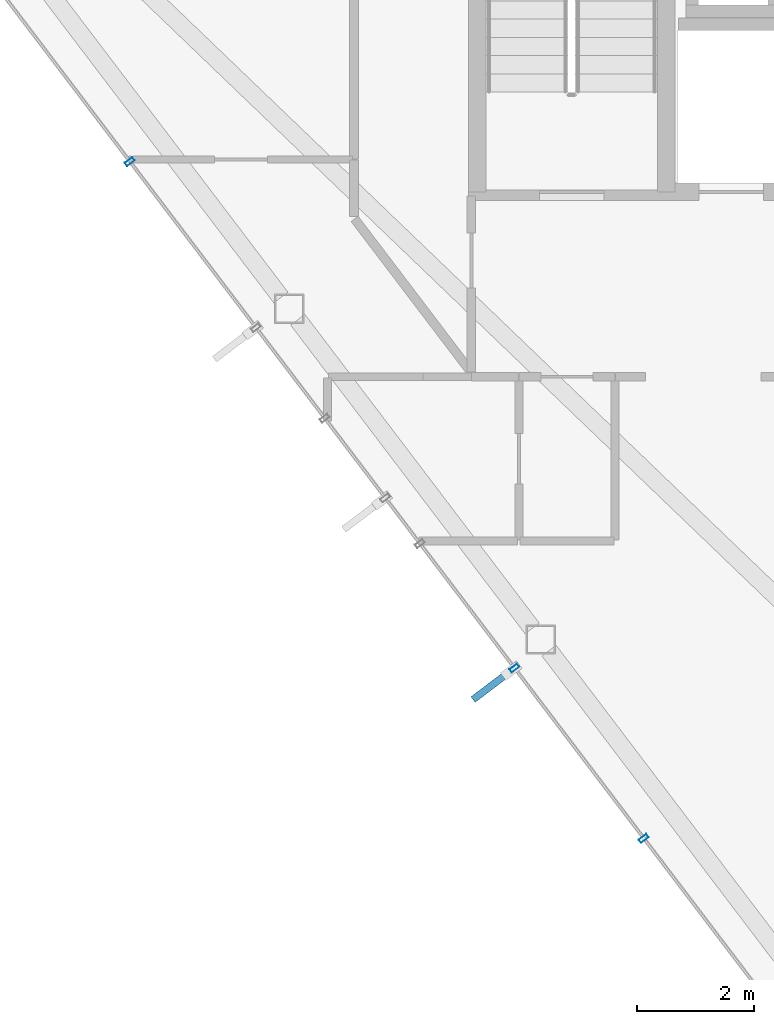
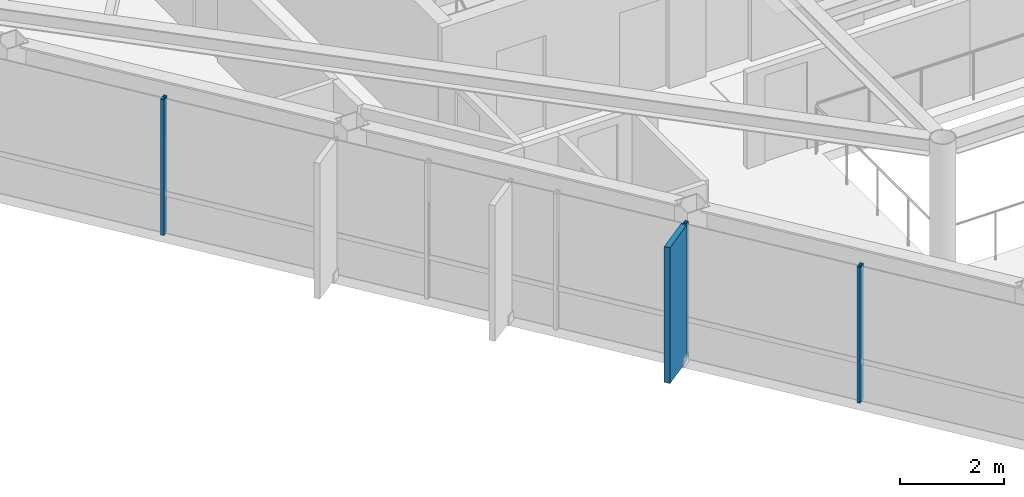
# One storey, part 2 of 24: 4 members, 1 element without a shape of its own.
"""IFC4 building model written with IfcOpenShell, lengths in metres."""

from ifc_helpers import new_model, si_unit, direction, frame, origin, origin_2d, place, context, subcontext, project, spatial, rectangle, hollow_rectangle, extrude, material, layer, layer_set, material_profile, profile_set, type_object, element, aggregate, save


model = new_model("IFC4")

# Units and contexts
model_context = context("Model", 3, precision=1e-05, world=origin(), true_north=direction((0.0, 1.0)))
body_context = subcontext(model_context, "Body", "Model", "MODEL_VIEW")
ifc_project = project(units=[si_unit("LENGTHUNIT", "METRE"), si_unit("AREAUNIT", "SQUARE_METRE"), si_unit("VOLUMEUNIT", "CUBIC_METRE"), si_unit("PLANEANGLEUNIT", "RADIAN"), si_unit("MASSUNIT", "GRAM", prefix="KILO")], contexts=[model_context])

# Site, building, storey
site_placement = place(None, origin())
site = spatial("IfcSite", under=ifc_project, at=site_placement, CompositionType="ELEMENT")
building_placement = place(site_placement, origin())
building = spatial("IfcBuilding", under=site, at=building_placement, Name="Zarrinselat Tower", CompositionType="ELEMENT")
storey_placement = place(building_placement, frame((0.0, 0.0, 268.60009765625)))
storey = spatial("IfcBuildingStorey", under=building, at=storey_placement, Name="L68", CompositionType="ELEMENT", Elevation=268.60009765625)

# Curtain wall, members
ifc_material_1 = material(Name="Extruded Aluminium Alloy EN AW-6063 T6", Category="aluminium")
ifc_layer = layer(ifc_material_1, 0.169921875)
ifc_layer_set = layer_set([ifc_layer], Name="Extruded Aluminium Alloy EN AW-6063 T6")
curtain_wall_type = type_object("IfcCurtainWallType", Name="CWS-RES", PredefinedType="NOTDEFINED", material=ifc_layer_set)
curtain_wall_placement = place(storey_placement, origin())
curtain_wall = element("IfcCurtainWall", 1, at=curtain_wall_placement, inside=storey, type_object=curtain_wall_type, Name="L68 Unitised Curtain Wall CW-L68-E03", PredefinedType="NOTDEFINED")
ifc_material_2 = material(Name="Extruded Aluminium Alloy EN AW-6063 T6", Category="aluminium")
ifc_material_profile_1 = material_profile(ifc_material_2, hollow_rectangle(XDim=0.070068359375, YDim=0.159912109375, WallThickness=0.00390625, at=origin_2d()), Name="RHS 160x70x4")
ifc_profile_set_1 = profile_set([ifc_material_profile_1], Name="Extruded Aluminium Alloy EN AW-6063 T6")
member_type_1 = type_object("IfcMemberType", Name="MEM-CW-MUL2", PredefinedType="MULLION", material=ifc_profile_set_1)
member_1_placement = place(storey_placement, frame((22.733154296875, 33.81396484375, 0.0), z_axis=(0.0, 0.0, 1.0), x_axis=(0.604787567266, -0.796386839721, 0.0)))
member_1 = element("IfcMember", 2, at=member_1_placement, type_object=member_type_1, Name="CW-L68-E03 Mullion 4", PredefinedType="MULLION", context=body_context, shape_type="SweptSolid", body=[
    extrude(hollow_rectangle(XDim=0.070068359375, YDim=0.159912109375, WallThickness=0.00390625, at=origin_2d()), origin(), (0.0, 0.0, 1.0), 3.179931640625),
])
member_2_placement = place(storey_placement, frame((29.28515625, 25.186279296875, 0.0), z_axis=(0.0, 0.0, 1.0), x_axis=(0.604787567266, -0.796386839721, 0.0)))
member_2 = element("IfcMember", 3, at=member_2_placement, type_object=member_type_1, Name="CW-L68-E03 Mullion 9", PredefinedType="MULLION", context=body_context, shape_type="SweptSolid", body=[
    extrude(hollow_rectangle(XDim=0.070068359375, YDim=0.159912109375, WallThickness=0.00390625, at=origin_2d()), origin(), (0.0, 0.0, 1.0), 3.179931640625),
])
member_3_placement = place(storey_placement, frame((31.48681640625, 22.287109375, 0.0), z_axis=(0.0, 0.0, 1.0), x_axis=(0.604787567266, -0.796386839721, 0.0)))
member_3 = element("IfcMember", 4, at=member_3_placement, type_object=member_type_1, Name="CW-L68-E03 Mullion 10", PredefinedType="MULLION", context=body_context, shape_type="SweptSolid", body=[
    extrude(hollow_rectangle(XDim=0.070068359375, YDim=0.159912109375, WallThickness=0.00390625, at=origin_2d()), origin(), (0.0, 0.0, 1.0), 3.179931640625),
])
ifc_material_3 = material(Name="Honed Cream Travertine Stone", Category="masonry")
ifc_material_profile_2 = material_profile(ifc_material_3, rectangle(XDim=0.1201171875, YDim=0.85009765625, at=origin_2d()), Name="FIN 850x120")
ifc_profile_set_2 = profile_set([ifc_material_profile_2], Name="Honed Cream Travertine Stone")
member_type_2 = type_object("IfcMemberType", Name="MEM-STONE-FIN", PredefinedType="USERDEFINED", material=ifc_profile_set_2)
member_4_placement = place(storey_placement, frame((28.918701171875, 24.908203125, 0.0), z_axis=(0.0, 0.0, 1.0), x_axis=(-0.604787567266, 0.796386839721, 0.0)))
member_4 = element("IfcMember", 5, at=member_4_placement, type_object=member_type_2, Name="L68 Stone Shading Fin CW-L68-E03-09", ObjectType="FIN", PredefinedType="USERDEFINED", context=body_context, shape_type="SweptSolid", body=[
    extrude(rectangle(XDim=0.1201171875, YDim=0.85009765625, at=origin_2d()), origin(), (0.0, 0.0, 1.0), 3.179931640625),
])
aggregate(curtain_wall, [member_1, member_2, member_4, member_3])

save(model, "model.ifc")
